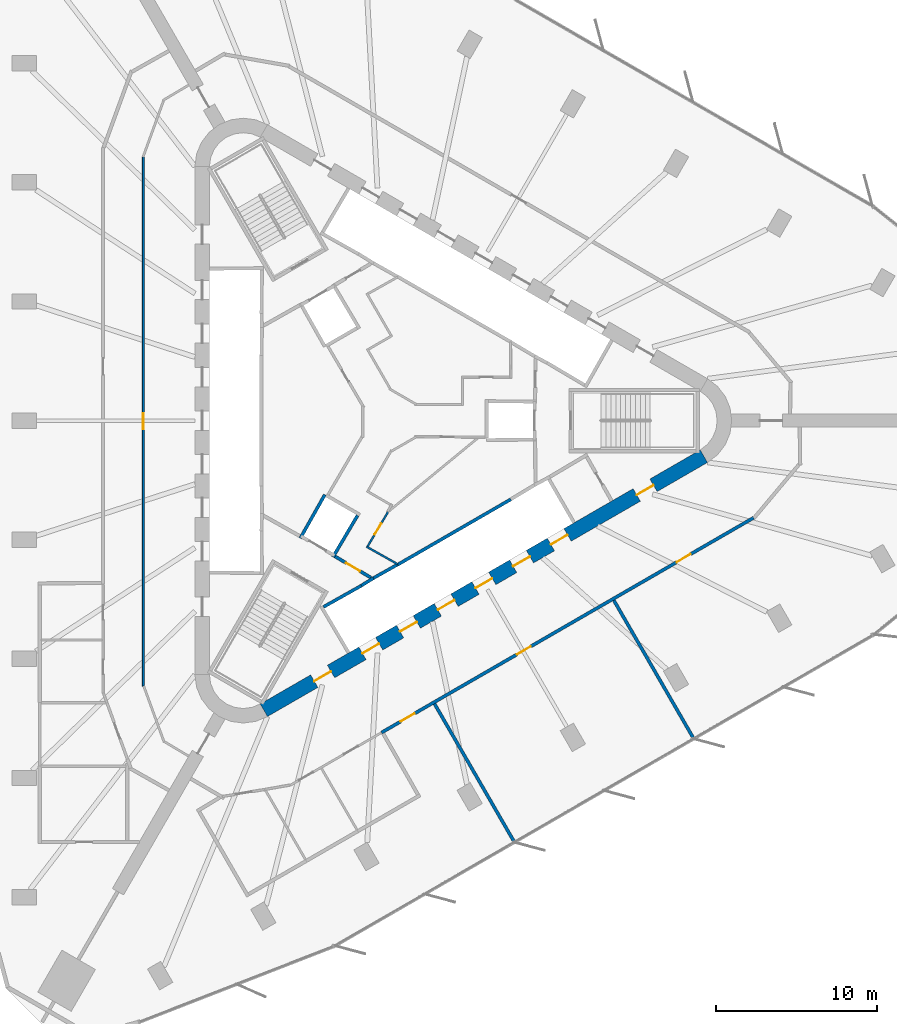
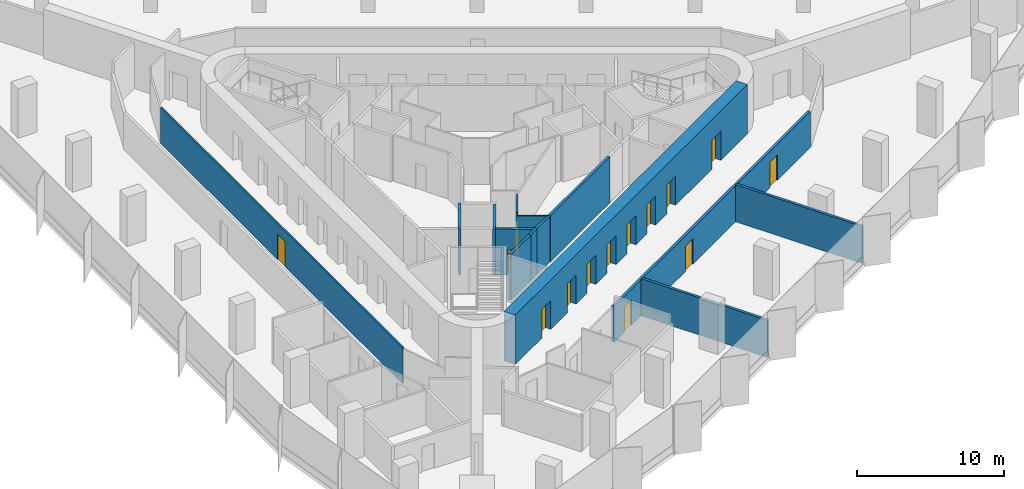
# One storey, part 10 of 15: 14 doors, 14 walls, 14 openings.
"""IFC4 building model written with IfcOpenShell, lengths in metres."""

from ifc_helpers import new_model, si_unit, direction, frame, frame_2d, origin, place, context, subcontext, project, spatial, rectangle, extrude, material, layer, layer_set, type_object, element, fill, save


model = new_model("IFC4")

# Units and contexts
model_context = context("Model", 3, precision=1e-05, world=origin(), true_north=direction((0.0, 1.0)))
body_context = subcontext(model_context, "Body", "Model", "MODEL_VIEW")
ifc_project = project(units=[si_unit("LENGTHUNIT", "METRE"), si_unit("AREAUNIT", "SQUARE_METRE"), si_unit("VOLUMEUNIT", "CUBIC_METRE"), si_unit("PLANEANGLEUNIT", "RADIAN"), si_unit("MASSUNIT", "GRAM", prefix="KILO")], contexts=[model_context])

# Site, building, storey
site_placement = place(None, origin())
site = spatial("IfcSite", under=ifc_project, at=site_placement, CompositionType="ELEMENT")
building_placement = place(site_placement, origin())
building = spatial("IfcBuilding", under=site, at=building_placement, Name="Tanit Gate Tower", CompositionType="ELEMENT")
storey_placement = place(building_placement, frame((0.0, 0.0, 139.800048828125)))
storey = spatial("IfcBuildingStorey", under=building, at=storey_placement, Name="L30", CompositionType="ELEMENT", Elevation=139.800048828125)

# Wall, openings, doors
ifc_material_1 = material(Name="Concrete C60/75", Category="concrete")
ifc_layer_1 = layer(ifc_material_1, 0.89990234375)
ifc_layer_set_1 = layer_set([ifc_layer_1], Name="CORE WALL 900 C60/75")
wall_type_1 = type_object("IfcWallType", Name="CORE WALL 900 C60/75", PredefinedType="SHEAR", material=ifc_layer_set_1)
wall_1_placement = place(storey_placement, frame((-7.824951171875, -17.969970703125, 0.0), z_axis=(0.0, 0.0, 1.0), x_axis=(0.866028369851, 0.499994862586, 0.0)))
wall_1 = element("IfcWall", 1, at=wall_1_placement, inside=storey, type_object=wall_type_1, Name="CORE WALL", PredefinedType="SHEAR", context=body_context, shape_type="SweptSolid", body=[
    extrude(rectangle(XDim=31.523193359375, YDim=0.89990234375, at=frame_2d((15.76171875, 0.0))), origin(), (0.0, 0.0, 1.0), 4.099853515625),
])
opening_1_placement = place(wall_1_placement, frame((7.061767578125, 0.0, 0.0)))
opening_1 = element("IfcOpeningElement", 2, at=opening_1_placement, cuts=wall_1, Name="Opening LDSX1-S07", PredefinedType="OPENING", context=body_context, shape_type="SweptSolid", body=[
    extrude(rectangle(XDim=1.199951171875, YDim=2.39990234375, at=frame_2d((0.60009765625, 1.199951171875))), frame((0.0, 0.4599609375, 0.0), z_axis=(0.0, -1.0, 0.0), x_axis=(1.0, 0.0, 0.0)), (0.0, 0.0, 1.0), 0.919921875),
])
opening_2_placement = place(wall_1_placement, frame((9.76171875, 0.0, 0.0)))
opening_2 = element("IfcOpeningElement", 3, at=opening_2_placement, cuts=wall_1, Name="Opening LDSX2-S07", PredefinedType="OPENING", context=body_context, shape_type="SweptSolid", body=[
    extrude(rectangle(XDim=1.199951171875, YDim=2.39990234375, at=frame_2d((0.60009765625, 1.199951171875))), frame((0.0, 0.4599609375, 0.0), z_axis=(0.0, -1.0, 0.0), x_axis=(1.0, 0.0, 0.0)), (0.0, 0.0, 1.0), 0.919921875),
])
opening_3_placement = place(wall_1_placement, frame((12.461669921875, 0.0, 0.0)))
opening_3 = element("IfcOpeningElement", 4, at=opening_3_placement, cuts=wall_1, Name="Opening LDSX3-S07", PredefinedType="OPENING", context=body_context, shape_type="SweptSolid", body=[
    extrude(rectangle(XDim=1.199951171875, YDim=2.39990234375, at=frame_2d((0.60009765625, 1.199951171875))), frame((0.0, 0.4599609375, 0.0), z_axis=(0.0, -1.0, 0.0), x_axis=(1.0, 0.0, 0.0)), (0.0, 0.0, 1.0), 0.919921875),
])
opening_4_placement = place(wall_1_placement, frame((15.16162109375, 0.0, 0.0)))
opening_4 = element("IfcOpeningElement", 5, at=opening_4_placement, cuts=wall_1, Name="Opening LDSX4-S07", PredefinedType="OPENING", context=body_context, shape_type="SweptSolid", body=[
    extrude(rectangle(XDim=1.199951171875, YDim=2.39990234375, at=frame_2d((0.60009765625, 1.199951171875))), frame((0.0, 0.4599609375, 0.0), z_axis=(0.0, -1.0, 0.0), x_axis=(1.0, 0.0, 0.0)), (0.0, 0.0, 1.0), 0.919921875),
])
opening_5_placement = place(wall_1_placement, frame((17.861572265625, 0.0, 0.0)))
opening_5 = element("IfcOpeningElement", 6, at=opening_5_placement, cuts=wall_1, Name="Opening LDSV1-S07", PredefinedType="OPENING", context=body_context, shape_type="SweptSolid", body=[
    extrude(rectangle(XDim=1.199951171875, YDim=2.39990234375, at=frame_2d((0.60009765625, 1.199951171875))), frame((0.0, 0.4599609375, 0.0), z_axis=(0.0, -1.0, 0.0), x_axis=(1.0, 0.0, 0.0)), (0.0, 0.0, 1.0), 0.919921875),
])
opening_6_placement = place(wall_1_placement, frame((20.561767578125, 0.0, 0.0)))
opening_6 = element("IfcOpeningElement", 7, at=opening_6_placement, cuts=wall_1, Name="Opening LDSV2-S07", PredefinedType="OPENING", context=body_context, shape_type="SweptSolid", body=[
    extrude(rectangle(XDim=1.199951171875, YDim=2.39990234375, at=frame_2d((0.60009765625, 1.199951171875))), frame((0.0, 0.4599609375, 0.0), z_axis=(0.0, -1.0, 0.0), x_axis=(1.0, 0.0, 0.0)), (0.0, 0.0, 1.0), 0.919921875),
])
opening_7_placement = place(wall_1_placement, frame((26.711669921875, 0.0, 0.0)))
opening_7 = element("IfcOpeningElement", 8, at=opening_7_placement, cuts=wall_1, Name="Opening F12-S07-S1", PredefinedType="OPENING", context=body_context, shape_type="SweptSolid", body=[
    extrude(rectangle(XDim=1.199951171875, YDim=2.39990234375, at=frame_2d((0.60009765625, 1.199951171875))), frame((0.0, 0.4599609375, 0.0), z_axis=(0.0, -1.0, 0.0), x_axis=(1.0, 0.0, 0.0)), (0.0, 0.0, 1.0), 0.919921875),
])
opening_8_placement = place(wall_1_placement, frame((3.611572265625, 0.0, 0.0)))
opening_8 = element("IfcOpeningElement", 9, at=opening_8_placement, cuts=wall_1, Name="Opening F12-S07-FL3", PredefinedType="OPENING", context=body_context, shape_type="SweptSolid", body=[
    extrude(rectangle(XDim=1.199951171875, YDim=2.39990234375, at=frame_2d((0.60009765625, 1.199951171875))), frame((0.0, 0.4599609375, 0.0), z_axis=(0.0, -1.0, 0.0), x_axis=(1.0, 0.0, 0.0)), (0.0, 0.0, 1.0), 0.919921875),
])
ifc_material_2 = material(Name="Fire-rated steel door leaf", Category="steel")
door_type_1 = type_object("IfcDoorType", Name="INT-DOOR-FIRE-LOBBY-1200", OperationType="NOTDEFINED", PredefinedType="USERDEFINED", material=ifc_material_2)
door_1_placement = place(opening_7_placement, origin())
door_1 = element("IfcDoor", 10, at=door_1_placement, inside=storey, type_object=door_type_1, Name="Door F12-S07-S1", ObjectType="FIRE DOOR", OperationType="SINGLE_SWING_RIGHT", OverallHeight=2.39990234375, OverallWidth=1.199951171875, PredefinedType="USERDEFINED", context=body_context, shape_type="SweptSolid", body=[
    extrude(rectangle(XDim=1.199951171875, YDim=2.39990234375, at=frame_2d((0.60009765625, 1.199951171875))), frame((0.0, 0.02490234375, 0.0), z_axis=(0.0, -1.0, 0.0), x_axis=(1.0, 0.0, 0.0)), (0.0, 0.0, 1.0), 0.050048828125),
])
fill(opening_7, door_1)
door_2_placement = place(opening_8_placement, origin())
door_2 = element("IfcDoor", 11, at=door_2_placement, inside=storey, type_object=door_type_1, Name="Door F12-S07-FL3", ObjectType="FIRE DOOR", OperationType="SINGLE_SWING_RIGHT", OverallHeight=2.39990234375, OverallWidth=1.199951171875, PredefinedType="USERDEFINED", context=body_context, shape_type="SweptSolid", body=[
    extrude(rectangle(XDim=1.199951171875, YDim=2.39990234375, at=frame_2d((0.60009765625, 1.199951171875))), frame((0.0, 0.02490234375, 0.0), z_axis=(0.0, -1.0, 0.0), x_axis=(1.0, 0.0, 0.0)), (0.0, 0.0, 1.0), 0.050048828125),
])
fill(opening_8, door_2)
ifc_material_3 = material(Name="Stainless steel sliding door leaf", Category="steel")
door_type_2 = type_object("IfcDoorType", Name="INT-DOOR-LANDING-1200", OperationType="NOTDEFINED", PredefinedType="USERDEFINED", material=ifc_material_3)
door_3_placement = place(opening_1_placement, origin())
door_3 = element("IfcDoor", 12, at=door_3_placement, inside=storey, type_object=door_type_2, Name="Door LDSX1-S07", ObjectType="LANDING DOOR", OperationType="SLIDING_TO_LEFT", OverallHeight=2.39990234375, OverallWidth=1.199951171875, PredefinedType="USERDEFINED", context=body_context, shape_type="SweptSolid", body=[
    extrude(rectangle(XDim=1.199951171875, YDim=2.39990234375, at=frame_2d((0.60009765625, 1.199951171875))), frame((0.0, 0.02490234375, 0.0), z_axis=(0.0, -1.0, 0.0), x_axis=(1.0, 0.0, 0.0)), (0.0, 0.0, 1.0), 0.050048828125),
])
fill(opening_1, door_3)
door_4_placement = place(opening_2_placement, origin())
door_4 = element("IfcDoor", 13, at=door_4_placement, inside=storey, type_object=door_type_2, Name="Door LDSX2-S07", ObjectType="LANDING DOOR", OperationType="SLIDING_TO_LEFT", OverallHeight=2.39990234375, OverallWidth=1.199951171875, PredefinedType="USERDEFINED", context=body_context, shape_type="SweptSolid", body=[
    extrude(rectangle(XDim=1.199951171875, YDim=2.39990234375, at=frame_2d((0.60009765625, 1.199951171875))), frame((0.0, 0.02490234375, 0.0), z_axis=(0.0, -1.0, 0.0), x_axis=(1.0, 0.0, 0.0)), (0.0, 0.0, 1.0), 0.050048828125),
])
fill(opening_2, door_4)
door_5_placement = place(opening_3_placement, origin())
door_5 = element("IfcDoor", 14, at=door_5_placement, inside=storey, type_object=door_type_2, Name="Door LDSX3-S07", ObjectType="LANDING DOOR", OperationType="SLIDING_TO_LEFT", OverallHeight=2.39990234375, OverallWidth=1.199951171875, PredefinedType="USERDEFINED", context=body_context, shape_type="SweptSolid", body=[
    extrude(rectangle(XDim=1.199951171875, YDim=2.39990234375, at=frame_2d((0.60009765625, 1.199951171875))), frame((0.0, 0.02490234375, 0.0), z_axis=(0.0, -1.0, 0.0), x_axis=(1.0, 0.0, 0.0)), (0.0, 0.0, 1.0), 0.050048828125),
])
fill(opening_3, door_5)
door_6_placement = place(opening_4_placement, origin())
door_6 = element("IfcDoor", 15, at=door_6_placement, inside=storey, type_object=door_type_2, Name="Door LDSX4-S07", ObjectType="LANDING DOOR", OperationType="SLIDING_TO_LEFT", OverallHeight=2.39990234375, OverallWidth=1.199951171875, PredefinedType="USERDEFINED", context=body_context, shape_type="SweptSolid", body=[
    extrude(rectangle(XDim=1.199951171875, YDim=2.39990234375, at=frame_2d((0.60009765625, 1.199951171875))), frame((0.0, 0.02490234375, 0.0), z_axis=(0.0, -1.0, 0.0), x_axis=(1.0, 0.0, 0.0)), (0.0, 0.0, 1.0), 0.050048828125),
])
fill(opening_4, door_6)
door_7_placement = place(opening_5_placement, origin())
door_7 = element("IfcDoor", 16, at=door_7_placement, inside=storey, type_object=door_type_2, Name="Door LDSV1-S07", ObjectType="LANDING DOOR", OperationType="SLIDING_TO_LEFT", OverallHeight=2.39990234375, OverallWidth=1.199951171875, PredefinedType="USERDEFINED", context=body_context, shape_type="SweptSolid", body=[
    extrude(rectangle(XDim=1.199951171875, YDim=2.39990234375, at=frame_2d((0.60009765625, 1.199951171875))), frame((0.0, 0.02490234375, 0.0), z_axis=(0.0, -1.0, 0.0), x_axis=(1.0, 0.0, 0.0)), (0.0, 0.0, 1.0), 0.050048828125),
])
fill(opening_5, door_7)
door_8_placement = place(opening_6_placement, origin())
door_8 = element("IfcDoor", 17, at=door_8_placement, inside=storey, type_object=door_type_2, Name="Door LDSV2-S07", ObjectType="LANDING DOOR", OperationType="SLIDING_TO_LEFT", OverallHeight=2.39990234375, OverallWidth=1.199951171875, PredefinedType="USERDEFINED", context=body_context, shape_type="SweptSolid", body=[
    extrude(rectangle(XDim=1.199951171875, YDim=2.39990234375, at=frame_2d((0.60009765625, 1.199951171875))), frame((0.0, 0.02490234375, 0.0), z_axis=(0.0, -1.0, 0.0), x_axis=(1.0, 0.0, 0.0)), (0.0, 0.0, 1.0), 0.050048828125),
])
fill(opening_6, door_8)

# Wall, opening, door
ifc_material_4 = material(Name="Fire-rated gypsum board partition")
ifc_layer_2 = layer(ifc_material_4, 0.199951171875)
ifc_layer_set_2 = layer_set([ifc_layer_2], Name="INT-WALL-COMPARTMENT")
wall_type_2 = type_object("IfcWallType", Name="INT-WALL-COMPARTMENT", PredefinedType="PARTITIONING", material=ifc_layer_set_2)
wall_2_placement = place(storey_placement, frame((-3.400634765625, -8.43017578125, 0.0), z_axis=(0.0, 0.0, 1.0), x_axis=(0.860598681535, -0.509283721849, 0.0)))
wall_2 = element("IfcWall", 18, at=wall_2_placement, inside=storey, type_object=wall_type_2, Name="Wall Compartment W064", PredefinedType="PARTITIONING", context=body_context, shape_type="SweptSolid", body=[
    extrude(rectangle(XDim=2.5810546875, YDim=0.199951171875, at=frame_2d((1.29052734375, 0.0))), origin(), (0.0, 0.0, 1.0), 3.800048828125),
])
opening_9_placement = place(wall_2_placement, frame((0.79052734375, 0.0, 0.0)))
opening_9 = element("IfcOpeningElement", 19, at=opening_9_placement, cuts=wall_2, Name="Opening F10-S07-08", PredefinedType="OPENING", context=body_context, shape_type="SweptSolid", body=[
    extrude(rectangle(XDim=1.0, YDim=2.10009765625, at=frame_2d((0.5, 1.050048828125))), frame((0.0, 0.10986328125, 0.0), z_axis=(0.0, -1.0, 0.0), x_axis=(1.0, 0.0, 0.0)), (0.0, 0.0, 1.0), 0.219970703125),
])
ifc_material_5 = material(Name="Fire-rated steel door leaf", Category="steel")
door_type_3 = type_object("IfcDoorType", Name="INT-DOOR-FIRE-1000", OperationType="NOTDEFINED", PredefinedType="USERDEFINED", material=ifc_material_5)
door_9_placement = place(opening_9_placement, origin())
door_9 = element("IfcDoor", 20, at=door_9_placement, inside=storey, type_object=door_type_3, Name="Door F10-S07-08", ObjectType="FIRE DOOR", OperationType="SINGLE_SWING_LEFT", OverallHeight=2.10009765625, OverallWidth=1.0, PredefinedType="USERDEFINED", context=body_context, shape_type="SweptSolid", body=[
    extrude(rectangle(XDim=1.0, YDim=2.10009765625, at=frame_2d((0.5, 1.050048828125))), frame((0.0, 0.02490234375, 0.0), z_axis=(0.0, -1.0, 0.0), x_axis=(1.0, 0.0, 0.0)), (0.0, 0.0, 1.0), 0.050048828125),
])
fill(opening_9, door_9)

# Wall, openings, doors
wall_3_placement = place(storey_placement, frame((-0.52294921875, -19.3544921875, 0.0), z_axis=(0.0, 0.0, 1.0), x_axis=(0.866024925705, 0.500000828058, 0.0)))
wall_3 = element("IfcWall", 21, at=wall_3_placement, inside=storey, type_object=wall_type_2, Name="Wall Compartment W110", PredefinedType="PARTITIONING", context=body_context, shape_type="SweptSolid", body=[
    extrude(rectangle(XDim=26.64697265625, YDim=0.199951171875, at=frame_2d((13.323486328125, 0.0))), origin(), (0.0, 0.0, 1.0), 2.97998046875),
])
opening_10_placement = place(wall_3_placement, frame((21.144775390625, 0.0, 0.0)))
opening_10 = element("IfcOpeningElement", 22, at=opening_10_placement, cuts=wall_3, Name="Opening F10-S07-25", PredefinedType="OPENING", context=body_context, shape_type="SweptSolid", body=[
    extrude(rectangle(XDim=1.0, YDim=2.10009765625, at=frame_2d((0.5, 1.050048828125))), frame((0.0, 0.10986328125, 0.0), z_axis=(0.0, -1.0, 0.0), x_axis=(1.0, 0.0, 0.0)), (0.0, 0.0, 1.0), 0.219970703125),
])
opening_11_placement = place(wall_3_placement, frame((9.690673828125, 0.0, 0.0)))
opening_11 = element("IfcOpeningElement", 23, at=opening_11_placement, cuts=wall_3, Name="Opening F10-S07-26", PredefinedType="OPENING", context=body_context, shape_type="SweptSolid", body=[
    extrude(rectangle(XDim=1.0, YDim=2.10009765625, at=frame_2d((0.5, 1.050048828125))), frame((0.0, 0.10986328125, 0.0), z_axis=(0.0, -1.0, 0.0), x_axis=(1.0, 0.0, 0.0)), (0.0, 0.0, 1.0), 0.219970703125),
])
opening_12_placement = place(wall_3_placement, frame((1.369384765625, 0.0, 0.0)))
opening_12 = element("IfcOpeningElement", 24, at=opening_12_placement, cuts=wall_3, Name="Opening F10-S07-27", PredefinedType="OPENING", context=body_context, shape_type="SweptSolid", body=[
    extrude(rectangle(XDim=1.0, YDim=2.10009765625, at=frame_2d((0.5, 1.050048828125))), frame((0.0, 0.10986328125, 0.0), z_axis=(0.0, -1.0, 0.0), x_axis=(1.0, 0.0, 0.0)), (0.0, 0.0, 1.0), 0.219970703125),
])
door_10_placement = place(opening_10_placement, origin())
door_10 = element("IfcDoor", 25, at=door_10_placement, inside=storey, type_object=door_type_3, Name="Door F10-S07-25", ObjectType="FIRE DOOR", OperationType="SINGLE_SWING_RIGHT", OverallHeight=2.10009765625, OverallWidth=1.0, PredefinedType="USERDEFINED", context=body_context, shape_type="SweptSolid", body=[
    extrude(rectangle(XDim=1.0, YDim=2.10009765625, at=frame_2d((0.5, 1.050048828125))), frame((0.0, 0.02490234375, 0.0), z_axis=(0.0, -1.0, 0.0), x_axis=(1.0, 0.0, 0.0)), (0.0, 0.0, 1.0), 0.050048828125),
])
fill(opening_10, door_10)
door_11_placement = place(opening_11_placement, origin())
door_11 = element("IfcDoor", 26, at=door_11_placement, inside=storey, type_object=door_type_3, Name="Door F10-S07-26", ObjectType="FIRE DOOR", OperationType="SINGLE_SWING_LEFT", OverallHeight=2.10009765625, OverallWidth=1.0, PredefinedType="USERDEFINED", context=body_context, shape_type="SweptSolid", body=[
    extrude(rectangle(XDim=1.0, YDim=2.10009765625, at=frame_2d((0.5, 1.050048828125))), frame((0.0, 0.02490234375, 0.0), z_axis=(0.0, -1.0, 0.0), x_axis=(1.0, 0.0, 0.0)), (0.0, 0.0, 1.0), 0.050048828125),
])
fill(opening_11, door_11)
door_12_placement = place(opening_12_placement, origin())
door_12 = element("IfcDoor", 27, at=door_12_placement, inside=storey, type_object=door_type_3, Name="Door F10-S07-27", ObjectType="FIRE DOOR", OperationType="SINGLE_SWING_RIGHT", OverallHeight=2.10009765625, OverallWidth=1.0, PredefinedType="USERDEFINED", context=body_context, shape_type="SweptSolid", body=[
    extrude(rectangle(XDim=1.0, YDim=2.10009765625, at=frame_2d((0.5, 1.050048828125))), frame((0.0, 0.02490234375, 0.0), z_axis=(0.0, -1.0, 0.0), x_axis=(1.0, 0.0, 0.0)), (0.0, 0.0, 1.0), 0.050048828125),
])
fill(opening_12, door_12)

# Walls
wall_4_placement = place(storey_placement, frame((13.888427734375, -11.149658203125, 0.0), z_axis=(0.0, 0.0, 1.0), x_axis=(0.499931641511, -0.86606486698, 0.0)))
element("IfcWall", 28, at=wall_4_placement, inside=storey, type_object=wall_type_2, Name="Wall Compartment W129", PredefinedType="PARTITIONING", context=body_context, shape_type="SweptSolid", body=[
    extrude(rectangle(XDim=9.90087890625, YDim=0.199951171875, at=frame_2d((4.950439453125, 0.0))), origin(), (0.0, 0.0, 1.0), 3.079833984375),
])
wall_5_placement = place(storey_placement, frame((7.714111328125, -26.145751953125, 0.0), z_axis=(0.0, 0.0, 1.0), x_axis=(-0.499926679301, 0.866067731372, 0.0)))
element("IfcWall", 29, at=wall_5_placement, inside=storey, type_object=wall_type_2, Name="Wall Compartment W130", PredefinedType="PARTITIONING", context=body_context, shape_type="SweptSolid", body=[
    extrude(rectangle(XDim=9.89990234375, YDim=0.199951171875, at=frame_2d((4.949951171875, 0.0))), origin(), (0.0, 0.0, 1.0), 3.079833984375),
])
ifc_material_6 = material(Name="Gypsum board partition")
ifc_layer_3 = layer(ifc_material_6, 0.1201171875)
ifc_layer_set_3 = layer_set([ifc_layer_3], Name="INT-WALL-PARTITION")
wall_type_3 = type_object("IfcWallType", Name="INT-WALL-PARTITION", PredefinedType="PARTITIONING", material=ifc_layer_set_3)
wall_6_placement = place(storey_placement, frame((-1.464111328125, -7.81591796875, 0.0), z_axis=(0.0, 0.0, 1.0), x_axis=(0.871880202732, -0.489719217597, 0.0)))
element("IfcWall", 30, at=wall_6_placement, inside=storey, type_object=wall_type_3, Name="Wall Partition W069", PredefinedType="PARTITIONING", context=body_context, shape_type="SweptSolid", body=[
    extrude(rectangle(XDim=2.224365234375, YDim=0.1201171875, at=frame_2d((1.1123046875, 0.0))), origin(), (0.0, 0.0, 1.0), 3.800048828125),
])

# Wall, opening, door
wall_7_placement = place(storey_placement, frame((-0.118896484375, -5.664306640625, 0.0), z_axis=(0.0, 0.0, 1.0), x_axis=(-0.509948384343, -0.860205001907, 0.0)))
wall_7 = element("IfcWall", 31, at=wall_7_placement, inside=storey, type_object=wall_type_3, Name="Wall Partition W070", PredefinedType="PARTITIONING", context=body_context, shape_type="SweptSolid", body=[
    extrude(rectangle(XDim=2.47509765625, YDim=0.1201171875, at=frame_2d((1.237548828125, 0.0))), origin(), (0.0, 0.0, 1.0), 3.800048828125),
])
opening_13_placement = place(wall_7_placement, frame((0.837646484375, 0.0, 0.0)))
opening_13 = element("IfcOpeningElement", 32, at=opening_13_placement, cuts=wall_7, Name="Opening R08-S07-11", PredefinedType="OPENING", context=body_context, shape_type="SweptSolid", body=[
    extrude(rectangle(XDim=0.800048828125, YDim=2.10009765625, at=frame_2d((0.39990234375, 1.050048828125))), frame((0.0, 0.070068359375, 0.0), z_axis=(0.0, -1.0, 0.0), x_axis=(1.0, 0.0, 0.0)), (0.0, 0.0, 1.0), 0.14013671875),
])
ifc_material_7 = material(Name="Timber door leaf", Category="wood")
door_type_4 = type_object("IfcDoorType", Name="INT-DOOR-RISER-800", OperationType="NOTDEFINED", PredefinedType="USERDEFINED", material=ifc_material_7)
door_13_placement = place(opening_13_placement, origin())
door_13 = element("IfcDoor", 33, at=door_13_placement, inside=storey, type_object=door_type_4, Name="Door R08-S07-11", ObjectType="FIRE DOOR", OperationType="SINGLE_SWING_LEFT", OverallHeight=2.10009765625, OverallWidth=0.800048828125, PredefinedType="USERDEFINED", context=body_context, shape_type="SweptSolid", body=[
    extrude(rectangle(XDim=0.800048828125, YDim=2.10009765625, at=frame_2d((0.39990234375, 1.050048828125))), frame((0.0, 0.02490234375, 0.0), z_axis=(0.0, -1.0, 0.0), x_axis=(1.0, 0.0, 0.0)), (0.0, 0.0, 1.0), 0.050048828125),
])
fill(opening_13, door_13)

wall_8_placement = place(storey_placement, frame((-15.300048828125, 16.34521484375, 0.0), z_axis=(0.0, 0.0, 1.0), x_axis=(0.0, -1.0, 0.0)))
wall_8 = element("IfcWall", 34, at=wall_8_placement, inside=storey, type_object=wall_type_3, Name="Wall Partition W088", PredefinedType="PARTITIONING", context=body_context, shape_type="SweptSolid", body=[
    extrude(rectangle(XDim=32.810546875, YDim=0.1201171875, at=frame_2d((16.4052734375, 0.0))), origin(), (0.0, 0.0, 1.0), 2.97998046875),
])
opening_14_placement = place(wall_8_placement, frame((15.875244140625, 0.0, 0.0)))
opening_14 = element("IfcOpeningElement", 35, at=opening_14_placement, cuts=wall_8, Name="Opening D10-S07-15", PredefinedType="OPENING", context=body_context, shape_type="SweptSolid", body=[
    extrude(rectangle(XDim=1.0, YDim=2.10009765625, at=frame_2d((0.5, 1.050048828125))), frame((0.0, 0.070068359375, 0.0), z_axis=(0.0, -1.0, 0.0), x_axis=(1.0, 0.0, 0.0)), (0.0, 0.0, 1.0), 0.14013671875),
])
ifc_material_8 = material(Name="Timber door leaf", Category="wood")
door_type_5 = type_object("IfcDoorType", Name="INT-DOOR-SINGLE-1000", OperationType="NOTDEFINED", PredefinedType="NOTDEFINED", material=ifc_material_8)
door_14_placement = place(opening_14_placement, origin())
door_14 = element("IfcDoor", 36, at=door_14_placement, inside=storey, type_object=door_type_5, Name="Door D10-S07-15", OperationType="SINGLE_SWING_RIGHT", OverallHeight=2.10009765625, OverallWidth=1.0, PredefinedType="NOTDEFINED", context=body_context, shape_type="SweptSolid", body=[
    extrude(rectangle(XDim=1.0, YDim=2.10009765625, at=frame_2d((0.5, 1.050048828125))), frame((0.0, 0.02490234375, 0.0), z_axis=(0.0, -1.0, 0.0), x_axis=(1.0, 0.0, 0.0)), (0.0, 0.0, 1.0), 0.050048828125),
])
fill(opening_14, door_14)

# Walls
ifc_material_9 = material(Name="Gypsum shaft wall system")
ifc_layer_4 = layer(ifc_material_9, 0.199951171875)
ifc_layer_set_4 = layer_set([ifc_layer_4], Name="INT-WALL-SHAFT")
wall_type_4 = type_object("IfcWallType", Name="INT-WALL-SHAFT", PredefinedType="PLUMBINGWALL", material=ifc_layer_set_4)
wall_9_placement = place(storey_placement, frame((0.482666015625, -8.935791015625, 0.0), z_axis=(0.0, 0.0, 1.0), x_axis=(0.866030989016, 0.499990325971, 0.0)))
element("IfcWall", 37, at=wall_9_placement, inside=storey, type_object=wall_type_4, Name="Wall Shaft W031", PredefinedType="PLUMBINGWALL", context=body_context, shape_type="SweptSolid", body=[
    extrude(rectangle(XDim=8.099853515625, YDim=0.199951171875, at=frame_2d((4.0498046875, 0.0))), origin(), (0.0, 0.0, 1.0), 3.800048828125),
])
wall_10_placement = place(storey_placement, frame((-1.7685546875, -10.23681640625, 0.0), z_axis=(0.0, 0.0, 1.0), x_axis=(-0.871534483978, -0.490334215854, 0.0)))
element("IfcWall", 38, at=wall_10_placement, inside=storey, type_object=wall_type_4, Name="Wall Shaft W028", PredefinedType="PLUMBINGWALL", context=body_context, shape_type="SweptSolid", body=[
    extrude(rectangle(XDim=2.7001953125, YDim=0.199951171875, at=frame_2d((1.35009765625, 0.0))), origin(), (0.0, 0.0, 1.0), 3.800048828125),
])
wall_11_placement = place(storey_placement, frame((-1.02392578125, -9.77099609375, 0.0), z_axis=(0.0, 0.0, 1.0), x_axis=(-0.850348075135, -0.526220629693, 0.0)))
element("IfcWall", 39, at=wall_11_placement, inside=storey, type_object=wall_type_4, Name="Wall Shaft W029", PredefinedType="PLUMBINGWALL", context=body_context, shape_type="SweptSolid", body=[
    extrude(rectangle(XDim=0.878173828125, YDim=0.199951171875, at=frame_2d((0.43896484375, 0.0))), origin(), (0.0, 0.0, 1.0), 3.800048828125),
])
wall_12_placement = place(storey_placement, frame((-1.13037109375, -9.83154296875, 0.0), z_axis=(0.0, 0.0, 1.0), x_axis=(0.871988740738, 0.489525929882, 0.0)))
element("IfcWall", 40, at=wall_12_placement, inside=storey, type_object=wall_type_4, Name="Wall Shaft W030", PredefinedType="PLUMBINGWALL", context=body_context, shape_type="SweptSolid", body=[
    extrude(rectangle(XDim=1.8447265625, YDim=0.199951171875, at=frame_2d((0.92236328125, 0.0))), origin(), (0.0, 0.0, 1.0), 3.800048828125),
])
wall_13_placement = place(storey_placement, frame((-5.5625, -7.29638671875, 0.0), z_axis=(0.0, 0.0, 1.0), x_axis=(0.491322718731, 0.870977603649, 0.0)))
element("IfcWall", 41, at=wall_13_placement, inside=storey, type_object=wall_type_4, Name="Wall Shaft W054", PredefinedType="PLUMBINGWALL", context=body_context, shape_type="SweptSolid", body=[
    extrude(rectangle(XDim=3.10009765625, YDim=0.199951171875, at=frame_2d((1.550048828125, 0.0))), origin(), (0.0, 0.0, 1.0), 3.800048828125),
])
wall_14_placement = place(storey_placement, frame((-2.01171875, -5.88232421875, 0.0), z_axis=(0.0, 0.0, 1.0), x_axis=(-0.508619639323, -0.860991325447, 0.0)))
element("IfcWall", 42, at=wall_14_placement, inside=storey, type_object=wall_type_4, Name="Wall Shaft W056", PredefinedType="PLUMBINGWALL", context=body_context, shape_type="SweptSolid", body=[
    extrude(rectangle(XDim=3.0, YDim=0.199951171875, at=frame_2d((1.5, 0.0))), origin(), (0.0, 0.0, 1.0), 3.800048828125),
])

save(model, "model.ifc")
